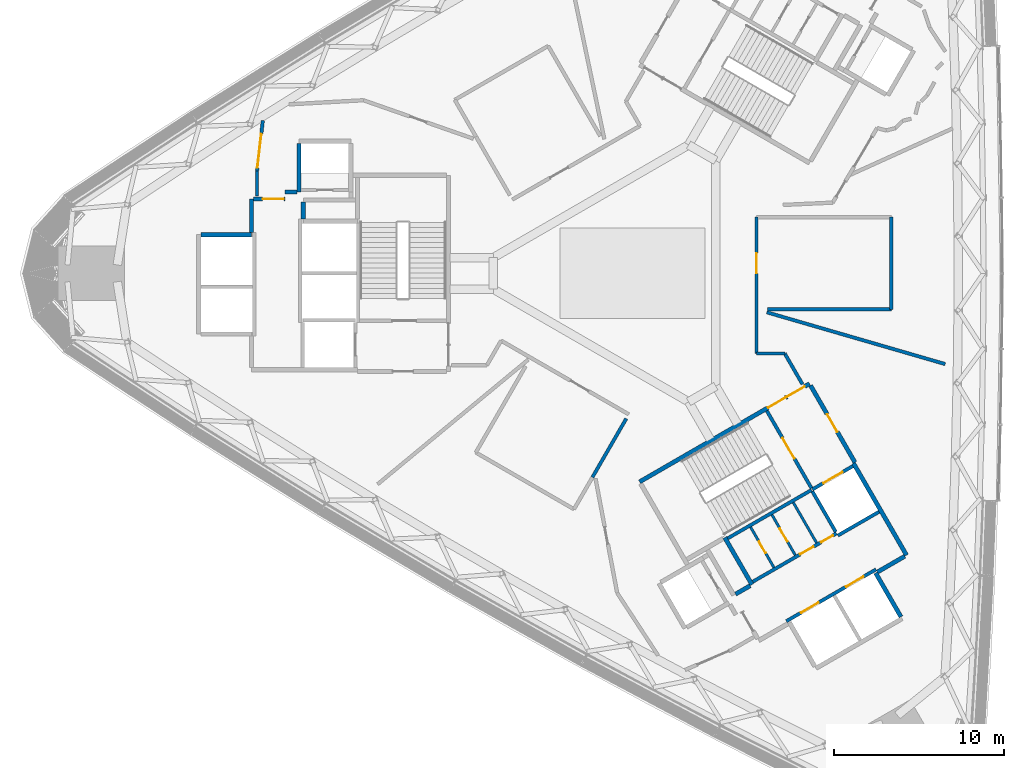
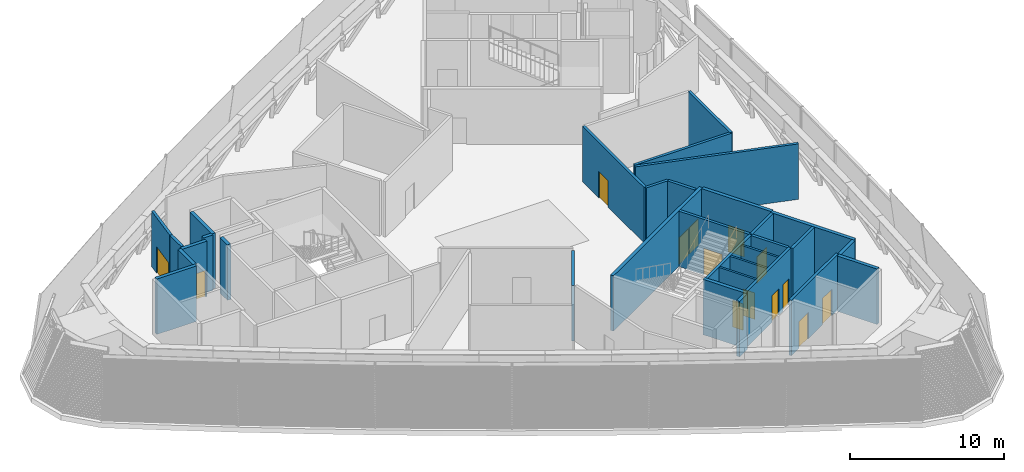
# One storey, part 11 of 17: 32 walls, 14 doors, 14 openings.
"""IFC4 building model written with IfcOpenShell, lengths in metres."""

from ifc_helpers import new_model, si_unit, direction, frame, frame_2d, origin, place, context, subcontext, project, spatial, rectangle, extrude, material, layer, layer_set, type_object, element, fill, save


model = new_model("IFC4")

# Units and contexts
model_context = context("Model", 3, precision=1e-05, world=origin(), true_north=direction((0.0, 1.0)))
body_context = subcontext(model_context, "Body", "Model", "MODEL_VIEW")
ifc_project = project(units=[si_unit("LENGTHUNIT", "METRE"), si_unit("AREAUNIT", "SQUARE_METRE"), si_unit("VOLUMEUNIT", "CUBIC_METRE"), si_unit("PLANEANGLEUNIT", "RADIAN"), si_unit("MASSUNIT", "GRAM", prefix="KILO")], contexts=[model_context])

# Site, building, storey
site_placement = place(None, origin())
site = spatial("IfcSite", under=ifc_project, at=site_placement, CompositionType="ELEMENT")
building_placement = place(site_placement, origin())
building = spatial("IfcBuilding", under=site, at=building_placement, Name="Tamra Quay Hotel Tower", CompositionType="ELEMENT")
storey_placement = place(building_placement, frame((0.0, 0.0, 119.0)))
storey = spatial("IfcBuildingStorey", under=building, at=storey_placement, Name="L29", CompositionType="ELEMENT", Elevation=119.0)

# Wall, openings, doors
ifc_material_1 = material(Name="Concrete M70", Category="concrete")
ifc_layer_1 = layer(ifc_material_1, 0.199951171875)
ifc_layer_set_1 = layer_set([ifc_layer_1], Name="Concrete M70 core wall 200")
wall_type_1 = type_object("IfcWallType", Name="Concrete M70 core wall 200", PredefinedType="SHEAR", material=ifc_layer_set_1)
wall_1_placement = place(storey_placement, frame((9.052490234375, -20.479736328125, 0.0), z_axis=(0.0, 0.0, 1.0), x_axis=(0.866030299012, 0.499991521122, 0.0)))
wall_1 = element("IfcWall", 1, at=wall_1_placement, inside=storey, type_object=wall_type_1, Name="CW2", PredefinedType="SHEAR", context=body_context, shape_type="SweptSolid", body=[
    extrude(rectangle(XDim=6.10009765625, YDim=0.199951171875, at=frame_2d((3.050048828125, 0.0))), origin(), (0.0, 0.0, 1.0), 4.39990234375),
])
opening_1_placement = place(wall_1_placement, frame((1.0, 0.0, 0.0)))
opening_1 = element("IfcOpeningElement", 2, at=opening_1_placement, cuts=wall_1, Name="Opening LD", PredefinedType="OPENING", context=body_context, shape_type="SweptSolid", body=[
    extrude(rectangle(XDim=1.199951171875, YDim=2.10009765625, at=frame_2d((0.60009765625, 1.050048828125))), frame((0.0, 0.10986328125, 0.0), z_axis=(0.0, -1.0, 0.0), x_axis=(1.0, 0.0, 0.0)), (0.0, 0.0, 1.0), 0.219970703125),
])
opening_2_placement = place(wall_1_placement, frame((4.05029296875, 0.0, 0.0)))
opening_2 = element("IfcOpeningElement", 3, at=opening_2_placement, cuts=wall_1, Name="Opening LD", PredefinedType="OPENING", context=body_context, shape_type="SweptSolid", body=[
    extrude(rectangle(XDim=1.199951171875, YDim=2.10009765625, at=frame_2d((0.60009765625, 1.050048828125))), frame((0.0, 0.10986328125, 0.0), z_axis=(0.0, -1.0, 0.0), x_axis=(1.0, 0.0, 0.0)), (0.0, 0.0, 1.0), 0.219970703125),
])
ifc_material_2 = material(Name="Landing door LD 1200 double door sliding")
door_type_1 = type_object("IfcDoorType", Name="Landing door LD 1200 double door sliding", OperationType="DOUBLE_DOOR_SLIDING", PredefinedType="DOOR", material=ifc_material_2)
door_1_placement = place(opening_1_placement, origin())
door_1 = element("IfcDoor", 4, at=door_1_placement, inside=storey, type_object=door_type_1, Name="LD", OperationType="DOUBLE_DOOR_SLIDING", OverallHeight=2.10009765625, OverallWidth=1.199951171875, PredefinedType="DOOR", context=body_context, shape_type="SweptSolid", body=[
    extrude(rectangle(XDim=1.199951171875, YDim=2.10009765625, at=frame_2d((0.60009765625, 1.050048828125))), frame((0.0, 0.02490234375, 0.0), z_axis=(0.0, -1.0, 0.0), x_axis=(1.0, 0.0, 0.0)), (0.0, 0.0, 1.0), 0.050048828125),
])
fill(opening_1, door_1)
door_2_placement = place(opening_2_placement, origin())
door_2 = element("IfcDoor", 5, at=door_2_placement, inside=storey, type_object=door_type_1, Name="LD", OperationType="DOUBLE_DOOR_SLIDING", OverallHeight=2.10009765625, OverallWidth=1.199951171875, PredefinedType="DOOR", context=body_context, shape_type="SweptSolid", body=[
    extrude(rectangle(XDim=1.199951171875, YDim=2.10009765625, at=frame_2d((0.60009765625, 1.050048828125))), frame((0.0, 0.02490234375, 0.0), z_axis=(0.0, -1.0, 0.0), x_axis=(1.0, 0.0, 0.0)), (0.0, 0.0, 1.0), 0.050048828125),
])
fill(opening_2, door_2)

# Wall
wall_2_placement = place(storey_placement, frame((10.537841796875, -12.751953125, 0.0), z_axis=(0.0, 0.0, 1.0), x_axis=(-0.866038630372, -0.499977090179, 0.0)))
element("IfcWall", 6, at=wall_2_placement, inside=storey, type_object=wall_type_1, Name="CW2", PredefinedType="SHEAR", context=body_context, shape_type="SweptSolid", body=[
    extrude(rectangle(XDim=5.698974609375, YDim=0.199951171875, at=frame_2d((2.849609375, 0.0))), origin(), (0.0, 0.0, 1.0), 4.39990234375),
])

# Wall, openings, doors
wall_3_placement = place(storey_placement, frame((7.0771484375, -18.156005859375, 0.0), z_axis=(0.0, 0.0, 1.0), x_axis=(0.866038630372, 0.499977090179, 0.0)))
wall_3 = element("IfcWall", 7, at=wall_3_placement, inside=storey, type_object=wall_type_1, Name="CW2", PredefinedType="SHEAR", context=body_context, shape_type="SweptSolid", body=[
    extrude(rectangle(XDim=5.698974609375, YDim=0.199951171875, at=frame_2d((2.849609375, 0.0))), origin(), (0.0, 0.0, 1.0), 4.39990234375),
])
opening_3_placement = place(wall_3_placement, frame((3.22412109375, 0.0, 0.0)))
opening_3 = element("IfcOpeningElement", 8, at=opening_3_placement, cuts=wall_3, Name="Opening D2", PredefinedType="OPENING", context=body_context, shape_type="SweptSolid", body=[
    extrude(rectangle(XDim=0.89990234375, YDim=2.10009765625, at=frame_2d((0.449951171875, 1.050048828125))), frame((0.0, 0.10986328125, 0.0), z_axis=(0.0, -1.0, 0.0), x_axis=(1.0, 0.0, 0.0)), (0.0, 0.0, 1.0), 0.219970703125),
])
opening_4_placement = place(wall_3_placement, frame((4.64892578125, 0.0, 0.0)))
opening_4 = element("IfcOpeningElement", 9, at=opening_4_placement, cuts=wall_3, Name="Opening D3", PredefinedType="OPENING", context=body_context, shape_type="SweptSolid", body=[
    extrude(rectangle(XDim=0.800048828125, YDim=2.10009765625, at=frame_2d((0.39990234375, 1.050048828125))), frame((0.0, 0.10986328125, 0.0), z_axis=(0.0, -1.0, 0.0), x_axis=(1.0, 0.0, 0.0)), (0.0, 0.0, 1.0), 0.219970703125),
])
ifc_material_3 = material(Name="Core door D2 900x2100 RH")
door_type_2 = type_object("IfcDoorType", Name="Core door D2 900x2100 RH", OperationType="NOTDEFINED", PredefinedType="DOOR", material=ifc_material_3)
door_3_placement = place(opening_3_placement, origin())
door_3 = element("IfcDoor", 10, at=door_3_placement, inside=storey, type_object=door_type_2, Name="D2", OperationType="SINGLE_SWING_RIGHT", OverallHeight=2.10009765625, OverallWidth=0.89990234375, PredefinedType="DOOR", context=body_context, shape_type="SweptSolid", body=[
    extrude(rectangle(XDim=0.89990234375, YDim=2.10009765625, at=frame_2d((0.449951171875, 1.050048828125))), frame((0.0, 0.02490234375, 0.0), z_axis=(0.0, -1.0, 0.0), x_axis=(1.0, 0.0, 0.0)), (0.0, 0.0, 1.0), 0.050048828125),
])
fill(opening_3, door_3)
ifc_material_4 = material(Name="Core door D3 800x2100 LH")
door_type_3 = type_object("IfcDoorType", Name="Core door D3 800x2100 LH", OperationType="NOTDEFINED", PredefinedType="DOOR", material=ifc_material_4)
door_4_placement = place(opening_4_placement, origin())
door_4 = element("IfcDoor", 11, at=door_4_placement, inside=storey, type_object=door_type_3, Name="D3", OperationType="SINGLE_SWING_LEFT", OverallHeight=2.10009765625, OverallWidth=0.800048828125, PredefinedType="DOOR", context=body_context, shape_type="SweptSolid", body=[
    extrude(rectangle(XDim=0.800048828125, YDim=2.10009765625, at=frame_2d((0.39990234375, 1.050048828125))), frame((0.0, 0.02490234375, 0.0), z_axis=(0.0, -1.0, 0.0), x_axis=(1.0, 0.0, 0.0)), (0.0, 0.0, 1.0), 0.050048828125),
])
fill(opening_4, door_4)

# Wall, opening, door
wall_4_placement = place(storey_placement, frame((7.906494140625, -8.094482421875, 0.0), z_axis=(0.0, 0.0, 1.0), x_axis=(0.500024287448, -0.866011380966, 0.0)))
wall_4 = element("IfcWall", 12, at=wall_4_placement, inside=storey, type_object=wall_type_1, Name="CW2", PredefinedType="SHEAR", context=body_context, shape_type="SweptSolid", body=[
    extrude(rectangle(XDim=5.251220703125, YDim=0.199951171875, at=frame_2d((2.62548828125, 0.0))), origin(), (0.0, 0.0, 1.0), 4.39990234375),
])
opening_5_placement = place(wall_4_placement, frame((1.84912109375, 0.0, 0.0)))
opening_5 = element("IfcOpeningElement", 13, at=opening_5_placement, cuts=wall_4, Name="Opening FD2", PredefinedType="OPENING", context=body_context, shape_type="SweptSolid", body=[
    extrude(rectangle(XDim=1.39990234375, YDim=2.10009765625, at=frame_2d((0.699951171875, 1.050048828125))), frame((0.0, 0.10986328125, 0.0), z_axis=(0.0, -1.0, 0.0), x_axis=(1.0, 0.0, 0.0)), (0.0, 0.0, 1.0), 0.219970703125),
])
ifc_material_5 = material(Name="Core door FD2 1400x2100 LH")
door_type_4 = type_object("IfcDoorType", Name="Core door FD2 1400x2100 LH", OperationType="NOTDEFINED", PredefinedType="DOOR", material=ifc_material_5)
door_5_placement = place(opening_5_placement, origin())
door_5 = element("IfcDoor", 14, at=door_5_placement, inside=storey, type_object=door_type_4, Name="FD2", OperationType="SINGLE_SWING_LEFT", OverallHeight=2.10009765625, OverallWidth=1.39990234375, PredefinedType="DOOR", context=body_context, shape_type="SweptSolid", body=[
    extrude(rectangle(XDim=1.39990234375, YDim=2.10009765625, at=frame_2d((0.699951171875, 1.050048828125))), frame((0.0, 0.02490234375, 0.0), z_axis=(0.0, -1.0, 0.0), x_axis=(1.0, 0.0, 0.0)), (0.0, 0.0, 1.0), 0.050048828125),
])
fill(opening_5, door_5)

# Wall
wall_5_placement = place(storey_placement, frame((11.962646484375, -15.219970703125, 0.0), z_axis=(0.0, 0.0, 1.0), x_axis=(-0.500034990121, 0.866005201286, 0.0)))
element("IfcWall", 15, at=wall_5_placement, inside=storey, type_object=wall_type_1, Name="CW2", PredefinedType="SHEAR", context=body_context, shape_type="SweptSolid", body=[
    extrude(rectangle(XDim=2.749755859375, YDim=0.199951171875, at=frame_2d((1.375, 0.0))), origin(), (0.0, 0.0, 1.0), 4.39990234375),
])

# Wall, opening, door
wall_6_placement = place(storey_placement, frame((10.587158203125, -12.72314453125, 0.0), z_axis=(0.0, 0.0, 1.0), x_axis=(0.866037306777, 0.499979382845, 0.0)))
wall_6 = element("IfcWall", 16, at=wall_6_placement, inside=storey, type_object=wall_type_1, Name="CW2", PredefinedType="SHEAR", context=body_context, shape_type="SweptSolid", body=[
    extrude(rectangle(XDim=2.74169921875, YDim=0.199951171875, at=frame_2d((1.370849609375, 0.0))), origin(), (0.0, 0.0, 1.0), 4.39990234375),
])
opening_6_placement = place(wall_6_placement, frame((0.742919921875, 0.0, 0.0)))
opening_6 = element("IfcOpeningElement", 17, at=opening_6_placement, cuts=wall_6, Name="Opening LD", PredefinedType="OPENING", context=body_context, shape_type="SweptSolid", body=[
    extrude(rectangle(XDim=1.300048828125, YDim=2.10009765625, at=frame_2d((0.64990234375, 1.050048828125))), frame((0.0, 0.10986328125, 0.0), z_axis=(0.0, -1.0, 0.0), x_axis=(1.0, 0.0, 0.0)), (0.0, 0.0, 1.0), 0.219970703125),
])
ifc_material_6 = material(Name="Landing door LD 1300 sliding to left")
door_type_5 = type_object("IfcDoorType", Name="Landing door LD 1300 sliding to left", OperationType="NOTDEFINED", PredefinedType="DOOR", material=ifc_material_6)
door_6_placement = place(opening_6_placement, origin())
door_6 = element("IfcDoor", 18, at=door_6_placement, inside=storey, type_object=door_type_5, Name="LD", OperationType="SLIDING_TO_LEFT", OverallHeight=2.10009765625, OverallWidth=1.300048828125, PredefinedType="DOOR", context=body_context, shape_type="SweptSolid", body=[
    extrude(rectangle(XDim=1.300048828125, YDim=2.10009765625, at=frame_2d((0.64990234375, 1.050048828125))), frame((0.0, 0.02490234375, 0.0), z_axis=(0.0, -1.0, 0.0), x_axis=(1.0, 0.0, 0.0)), (0.0, 0.0, 1.0), 0.050048828125),
])
fill(opening_6, door_6)

# Walls
wall_7_placement = place(storey_placement, frame((14.51171875, -14.037109375, 0.0), z_axis=(0.0, 0.0, 1.0), x_axis=(-0.866044696403, -0.499966582715, 0.0)))
element("IfcWall", 19, at=wall_7_placement, inside=storey, type_object=wall_type_1, Name="CW2", PredefinedType="SHEAR", context=body_context, shape_type="SweptSolid", body=[
    extrude(rectangle(XDim=2.799072265625, YDim=0.199951171875, at=frame_2d((1.3994140625, 0.0))), origin(), (0.0, 0.0, 1.0), 4.39990234375),
])
ifc_layer_2 = layer(ifc_material_1, 0.25)
ifc_layer_set_2 = layer_set([ifc_layer_2], Name="Concrete M70 core wall 250")
wall_type_2 = type_object("IfcWallType", Name="Concrete M70 core wall 250", PredefinedType="SHEAR", material=ifc_layer_set_2)
wall_8_placement = place(storey_placement, frame((-25.411865234375, 2.27490234375, 0.0), z_axis=(0.0, 0.0, 1.0), x_axis=(1.0, 0.0, 0.0)))
element("IfcWall", 20, at=wall_8_placement, inside=storey, type_object=wall_type_2, Name="CW1", PredefinedType="SHEAR", context=body_context, shape_type="SweptSolid", body=[
    extrude(rectangle(XDim=2.974609375, YDim=0.25, at=frame_2d((1.4873046875, 0.0))), origin(), (0.0, 0.0, 1.0), 4.39990234375),
])
wall_9_placement = place(storey_placement, frame((-19.63720703125, 4.784912109375, 0.0), z_axis=(0.0, 0.0, 1.0), x_axis=(0.0, 1.0, 0.0)))
element("IfcWall", 21, at=wall_9_placement, inside=storey, type_object=wall_type_2, Name="CW1", PredefinedType="SHEAR", context=body_context, shape_type="SweptSolid", body=[
    extrude(rectangle(XDim=2.86474609375, YDim=0.25, at=frame_2d((1.432373046875, 0.0))), origin(), (0.0, 0.0, 1.0), 4.39990234375),
])
wall_10_placement = place(storey_placement, frame((-22.437255859375, 2.400390625, 0.0), z_axis=(0.0, 0.0, 1.0), x_axis=(0.0, 1.0, 0.0)))
element("IfcWall", 22, at=wall_10_placement, inside=storey, type_object=wall_type_2, Name="CW1", PredefinedType="SHEAR", context=body_context, shape_type="SweptSolid", body=[
    extrude(rectangle(XDim=1.974609375, YDim=0.25, at=frame_2d((0.9873046875, 0.0))), origin(), (0.0, 0.0, 1.0), 4.39990234375),
])

# Wall, opening, door
wall_11_placement = place(storey_placement, frame((-22.311767578125, 4.375, 0.0), z_axis=(0.0, 0.0, 1.0), x_axis=(1.0, 0.0, 0.0)))
wall_11 = element("IfcWall", 23, at=wall_11_placement, inside=storey, type_object=wall_type_2, Name="CW1", PredefinedType="SHEAR", context=body_context, shape_type="SweptSolid", body=[
    extrude(rectangle(XDim=1.864501953125, YDim=0.25, at=frame_2d((0.93212890625, 0.0))), origin(), (0.0, 0.0, 1.0), 4.39990234375),
])
opening_7_placement = place(wall_11_placement, frame((0.53466796875, 0.0, 0.0)))
opening_7 = element("IfcOpeningElement", 24, at=opening_7_placement, cuts=wall_11, Name="Opening FD3", PredefinedType="OPENING", context=body_context, shape_type="SweptSolid", body=[
    extrude(rectangle(XDim=1.25, YDim=2.10009765625, at=frame_2d((0.625, 1.050048828125))), frame((0.0, 0.135009765625, 0.0), z_axis=(0.0, -1.0, 0.0), x_axis=(1.0, 0.0, 0.0)), (0.0, 0.0, 1.0), 0.27001953125),
])
ifc_material_7 = material(Name="Core door FD3 1250x2100 LH")
door_type_6 = type_object("IfcDoorType", Name="Core door FD3 1250x2100 LH", OperationType="NOTDEFINED", PredefinedType="DOOR", material=ifc_material_7)
door_7_placement = place(opening_7_placement, origin())
door_7 = element("IfcDoor", 25, at=door_7_placement, inside=storey, type_object=door_type_6, Name="FD3", OperationType="SINGLE_SWING_LEFT", OverallHeight=2.10009765625, OverallWidth=1.25, PredefinedType="DOOR", context=body_context, shape_type="SweptSolid", body=[
    extrude(rectangle(XDim=1.25, YDim=2.10009765625, at=frame_2d((0.625, 1.050048828125))), frame((0.0, 0.02490234375, 0.0), z_axis=(0.0, -1.0, 0.0), x_axis=(1.0, 0.0, 0.0)), (0.0, 0.0, 1.0), 0.050048828125),
])
fill(opening_7, door_7)

# Walls
wall_12_placement = place(storey_placement, frame((-19.38720703125, 4.189697265625, 0.0), z_axis=(0.0, 0.0, 1.0), x_axis=(0.0, -1.0, 0.0)))
element("IfcWall", 26, at=wall_12_placement, inside=storey, type_object=wall_type_2, Name="CW1", PredefinedType="SHEAR", context=body_context, shape_type="SweptSolid", body=[
    extrude(rectangle(XDim=0.9892578125, YDim=0.25, at=frame_2d((0.49462890625, 0.0))), origin(), (0.0, 0.0, 1.0), 4.39990234375),
])
wall_13_placement = place(storey_placement, frame((-20.447265625, 4.784912109375, 0.0), z_axis=(0.0, 0.0, 1.0), x_axis=(1.0, 0.0, 0.0)))
element("IfcWall", 27, at=wall_13_placement, inside=storey, type_object=wall_type_2, Name="CW1", PredefinedType="SHEAR", context=body_context, shape_type="SweptSolid", body=[
    extrude(rectangle(XDim=0.6845703125, YDim=0.25, at=frame_2d((0.34228515625, 0.0))), origin(), (0.0, 0.0, 1.0), 4.39990234375),
])

# Wall, openings, doors
wall_14_placement = place(storey_placement, frame((0.417236328125, -12.27294921875, 0.0), z_axis=(0.0, 0.0, 1.0), x_axis=(0.866021906294, 0.500006057782, 0.0)))
wall_14 = element("IfcWall", 28, at=wall_14_placement, inside=storey, type_object=wall_type_2, Name="CW1", PredefinedType="SHEAR", context=body_context, shape_type="SweptSolid", body=[
    extrude(rectangle(XDim=11.550048828125, YDim=0.25, at=frame_2d((5.77490234375, 0.0))), origin(), (0.0, 0.0, 1.0), 4.39990234375),
])
opening_8_placement = place(wall_14_placement, frame((10.024658203125, 0.0, 0.0)))
opening_8 = element("IfcOpeningElement", 29, at=opening_8_placement, cuts=wall_14, Name="Opening FD1", PredefinedType="OPENING", context=body_context, shape_type="SweptSolid", body=[
    extrude(rectangle(XDim=1.199951171875, YDim=2.10009765625, at=frame_2d((0.60009765625, 1.050048828125))), frame((0.0, 0.135009765625, 0.0), z_axis=(0.0, -1.0, 0.0), x_axis=(1.0, 0.0, 0.0)), (0.0, 0.0, 1.0), 0.27001953125),
])
opening_9_placement = place(wall_14_placement, frame((8.724609375, 0.0, 0.0)))
opening_9 = element("IfcOpeningElement", 30, at=opening_9_placement, cuts=wall_14, Name="Opening FD1", PredefinedType="OPENING", context=body_context, shape_type="SweptSolid", body=[
    extrude(rectangle(XDim=1.199951171875, YDim=2.10009765625, at=frame_2d((0.60009765625, 1.050048828125))), frame((0.0, 0.135009765625, 0.0), z_axis=(0.0, -1.0, 0.0), x_axis=(1.0, 0.0, 0.0)), (0.0, 0.0, 1.0), 0.27001953125),
])
ifc_material_8 = material(Name="Core door FD1 1200x2100 LH")
door_type_7 = type_object("IfcDoorType", Name="Core door FD1 1200x2100 LH", OperationType="NOTDEFINED", PredefinedType="DOOR", material=ifc_material_8)
door_8_placement = place(opening_8_placement, origin())
door_8 = element("IfcDoor", 31, at=door_8_placement, inside=storey, type_object=door_type_7, Name="FD1", OperationType="SINGLE_SWING_LEFT", OverallHeight=2.10009765625, OverallWidth=1.199951171875, PredefinedType="DOOR", context=body_context, shape_type="SweptSolid", body=[
    extrude(rectangle(XDim=1.199951171875, YDim=2.10009765625, at=frame_2d((0.60009765625, 1.050048828125))), frame((0.0, 0.02490234375, 0.0), z_axis=(0.0, -1.0, 0.0), x_axis=(1.0, 0.0, 0.0)), (0.0, 0.0, 1.0), 0.050048828125),
])
fill(opening_8, door_8)
ifc_material_9 = material(Name="Core door FD1 1200x2100 RH")
door_type_8 = type_object("IfcDoorType", Name="Core door FD1 1200x2100 RH", OperationType="NOTDEFINED", PredefinedType="DOOR", material=ifc_material_9)
door_9_placement = place(opening_9_placement, origin())
door_9 = element("IfcDoor", 32, at=door_9_placement, inside=storey, type_object=door_type_8, Name="FD1", OperationType="SINGLE_SWING_RIGHT", OverallHeight=2.10009765625, OverallWidth=1.199951171875, PredefinedType="DOOR", context=body_context, shape_type="SweptSolid", body=[
    extrude(rectangle(XDim=1.199951171875, YDim=2.10009765625, at=frame_2d((0.60009765625, 1.050048828125))), frame((0.0, 0.02490234375, 0.0), z_axis=(0.0, -1.0, 0.0), x_axis=(1.0, 0.0, 0.0)), (0.0, 0.0, 1.0), 0.050048828125),
])
fill(opening_9, door_9)

# Wall
wall_15_placement = place(storey_placement, frame((13.00830078125, -11.18115234375, 0.0), z_axis=(0.0, 0.0, 1.0), x_axis=(0.500004234368, -0.866022959057, 0.0)))
element("IfcWall", 33, at=wall_15_placement, inside=storey, type_object=wall_type_2, Name="CW1", PredefinedType="SHEAR", context=body_context, shape_type="SweptSolid", body=[
    extrude(rectangle(XDim=6.25, YDim=0.25, at=frame_2d((3.125, 0.0))), origin(), (0.0, 0.0, 1.0), 4.39990234375),
])

# Wall, opening, door
wall_16_placement = place(storey_placement, frame((10.482666015625, -6.6064453125, 0.0), z_axis=(0.0, 0.0, 1.0), x_axis=(0.49999885962, -0.866026062182, 0.0)))
wall_16 = element("IfcWall", 34, at=wall_16_placement, inside=storey, type_object=wall_type_2, Name="CW1", PredefinedType="SHEAR", context=body_context, shape_type="SweptSolid", body=[
    extrude(rectangle(XDim=5.224609375, YDim=0.25, at=frame_2d((2.6123046875, 0.0))), origin(), (0.0, 0.0, 1.0), 4.39990234375),
])
opening_10_placement = place(wall_16_placement, frame((1.94970703125, 0.0, 0.0)))
opening_10 = element("IfcOpeningElement", 35, at=opening_10_placement, cuts=wall_16, Name="Opening D2", PredefinedType="OPENING", context=body_context, shape_type="SweptSolid", body=[
    extrude(rectangle(XDim=1.199951171875, YDim=2.10009765625, at=frame_2d((0.60009765625, 1.050048828125))), frame((0.0, 0.135009765625, 0.0), z_axis=(0.0, -1.0, 0.0), x_axis=(1.0, 0.0, 0.0)), (0.0, 0.0, 1.0), 0.27001953125),
])
ifc_material_10 = material(Name="Core door D2 1200x2100 RH")
door_type_9 = type_object("IfcDoorType", Name="Core door D2 1200x2100 RH", OperationType="NOTDEFINED", PredefinedType="DOOR", material=ifc_material_10)
door_10_placement = place(opening_10_placement, origin())
door_10 = element("IfcDoor", 36, at=door_10_placement, inside=storey, type_object=door_type_9, Name="D2", OperationType="SINGLE_SWING_RIGHT", OverallHeight=2.10009765625, OverallWidth=1.199951171875, PredefinedType="DOOR", context=body_context, shape_type="SweptSolid", body=[
    extrude(rectangle(XDim=1.199951171875, YDim=2.10009765625, at=frame_2d((0.60009765625, 1.050048828125))), frame((0.0, 0.02490234375, 0.0), z_axis=(0.0, -1.0, 0.0), x_axis=(1.0, 0.0, 0.0)), (0.0, 0.0, 1.0), 0.050048828125),
])
fill(opening_10, door_10)

# Walls
wall_17_placement = place(storey_placement, frame((7.030517578125, -18.327392578125, 0.0), z_axis=(0.0, 0.0, 1.0), x_axis=(-0.499971222258, 0.866042017984, 0.0)))
element("IfcWall", 37, at=wall_17_placement, inside=storey, type_object=wall_type_2, Name="CW1", PredefinedType="SHEAR", context=body_context, shape_type="SweptSolid", body=[
    extrude(rectangle(XDim=3.199951171875, YDim=0.25, at=frame_2d((1.60009765625, 0.0))), origin(), (0.0, 0.0, 1.0), 4.39990234375),
])
wall_18_placement = place(storey_placement, frame((14.314697265625, -17.643798828125, 0.0), z_axis=(0.0, 0.0, 1.0), x_axis=(0.500023226632, -0.866011993467, 0.0)))
element("IfcWall", 38, at=wall_18_placement, inside=storey, type_object=wall_type_2, Name="CW1", PredefinedType="SHEAR", context=body_context, shape_type="SweptSolid", body=[
    extrude(rectangle(XDim=2.974365234375, YDim=0.25, at=frame_2d((1.4873046875, 0.0))), origin(), (0.0, 0.0, 1.0), 4.39990234375),
])
wall_19_placement = place(storey_placement, frame((16.024658203125, -16.656494140625, 0.0), z_axis=(0.0, 0.0, 1.0), x_axis=(-0.866016279763, -0.500015802937, 0.0)))
element("IfcWall", 39, at=wall_19_placement, inside=storey, type_object=wall_type_2, Name="CW1", PredefinedType="SHEAR", context=body_context, shape_type="SweptSolid", body=[
    extrude(rectangle(XDim=1.84912109375, YDim=0.25, at=frame_2d((0.924560546875, 0.0))), origin(), (0.0, 0.0, 1.0), 4.39990234375),
])
wall_20_placement = place(storey_placement, frame((6.0654296875, -18.884765625, 0.0), z_axis=(0.0, 0.0, 1.0), x_axis=(0.866017078145, 0.500014420154, 0.0)))
element("IfcWall", 40, at=wall_20_placement, inside=storey, type_object=wall_type_2, Name="CW1", PredefinedType="SHEAR", context=body_context, shape_type="SweptSolid", body=[
    extrude(rectangle(XDim=0.9892578125, YDim=0.25, at=frame_2d((0.49462890625, 0.0))), origin(), (0.0, 0.0, 1.0), 4.39990234375),
])

# Wall, opening, door
ifc_material_11 = material(Name="Blockwork", Category="masonry")
ifc_layer_3 = layer(ifc_material_11, 0.14990234375)
ifc_layer_set_3 = layer_set([ifc_layer_3], Name="Core partition block 150")
wall_type_3 = type_object("IfcWallType", Name="Core partition block 150", PredefinedType="PARTITIONING", material=ifc_layer_set_3)
wall_21_placement = place(storey_placement, frame((8.20654296875, -14.214111328125, 0.0), z_axis=(0.0, 0.0, 1.0), x_axis=(0.50002746344, -0.86600954718, 0.0)))
wall_21 = element("IfcWall", 41, at=wall_21_placement, inside=storey, type_object=wall_type_3, Name="CP1", PredefinedType="PARTITIONING", context=body_context, shape_type="SweptSolid", body=[
    extrude(rectangle(XDim=2.748291015625, YDim=0.14990234375, at=frame_2d((1.3740234375, 0.0))), origin(), (0.0, 0.0, 1.0), 4.39990234375),
])
opening_11_placement = place(wall_21_placement, frame((0.92431640625, 0.0, 0.0)))
opening_11 = element("IfcOpeningElement", 42, at=opening_11_placement, cuts=wall_21, Name="Opening D2", PredefinedType="OPENING", context=body_context, shape_type="SweptSolid", body=[
    extrude(rectangle(XDim=0.89990234375, YDim=2.10009765625, at=frame_2d((0.449951171875, 1.050048828125))), frame((0.0, 0.0849609375, 0.0), z_axis=(0.0, -1.0, 0.0), x_axis=(1.0, 0.0, 0.0)), (0.0, 0.0, 1.0), 0.169921875),
])
ifc_material_12 = material(Name="Core door D2 900x2100 LH")
door_type_10 = type_object("IfcDoorType", Name="Core door D2 900x2100 LH", OperationType="NOTDEFINED", PredefinedType="DOOR", material=ifc_material_12)
door_11_placement = place(opening_11_placement, origin())
door_11 = element("IfcDoor", 43, at=door_11_placement, inside=storey, type_object=door_type_10, Name="D2", OperationType="SINGLE_SWING_LEFT", OverallHeight=2.10009765625, OverallWidth=0.89990234375, PredefinedType="DOOR", context=body_context, shape_type="SweptSolid", body=[
    extrude(rectangle(XDim=0.89990234375, YDim=2.10009765625, at=frame_2d((0.449951171875, 1.050048828125))), frame((0.0, 0.02490234375, 0.0), z_axis=(0.0, -1.0, 0.0), x_axis=(1.0, 0.0, 0.0)), (0.0, 0.0, 1.0), 0.050048828125),
])
fill(opening_11, door_11)

# Wall
wall_22_placement = place(storey_placement, frame((9.46240234375, -13.489013671875, 0.0), z_axis=(0.0, 0.0, 1.0), x_axis=(0.499988999718, -0.866031754707, 0.0)))
element("IfcWall", 44, at=wall_22_placement, inside=storey, type_object=wall_type_3, Name="CP1", PredefinedType="PARTITIONING", context=body_context, shape_type="SweptSolid", body=[
    extrude(rectangle(XDim=2.74853515625, YDim=0.14990234375, at=frame_2d((1.374267578125, 0.0))), origin(), (0.0, 0.0, 1.0), 4.39990234375),
])

# Wall, opening, door
wall_23_placement = place(storey_placement, frame((6.950927734375, -14.93896484375, 0.0), z_axis=(0.0, 0.0, 1.0), x_axis=(0.499988999718, -0.866031754707, 0.0)))
wall_23 = element("IfcWall", 45, at=wall_23_placement, inside=storey, type_object=wall_type_3, Name="CP1", PredefinedType="PARTITIONING", context=body_context, shape_type="SweptSolid", body=[
    extrude(rectangle(XDim=2.74853515625, YDim=0.14990234375, at=frame_2d((1.374267578125, 0.0))), origin(), (0.0, 0.0, 1.0), 4.39990234375),
])
opening_12_placement = place(wall_23_placement, frame((0.97412109375, 0.0, 0.0)))
opening_12 = element("IfcOpeningElement", 46, at=opening_12_placement, cuts=wall_23, Name="Opening D3", PredefinedType="OPENING", context=body_context, shape_type="SweptSolid", body=[
    extrude(rectangle(XDim=0.800048828125, YDim=2.10009765625, at=frame_2d((0.39990234375, 1.050048828125))), frame((0.0, 0.0849609375, 0.0), z_axis=(0.0, -1.0, 0.0), x_axis=(1.0, 0.0, 0.0)), (0.0, 0.0, 1.0), 0.169921875),
])
ifc_material_13 = material(Name="Core door D3 800x2100 RH")
door_type_11 = type_object("IfcDoorType", Name="Core door D3 800x2100 RH", OperationType="NOTDEFINED", PredefinedType="DOOR", material=ifc_material_13)
door_12_placement = place(opening_12_placement, origin())
door_12 = element("IfcDoor", 47, at=door_12_placement, inside=storey, type_object=door_type_11, Name="D3", OperationType="SINGLE_SWING_RIGHT", OverallHeight=2.10009765625, OverallWidth=0.800048828125, PredefinedType="DOOR", context=body_context, shape_type="SweptSolid", body=[
    extrude(rectangle(XDim=0.800048828125, YDim=2.10009765625, at=frame_2d((0.39990234375, 1.050048828125))), frame((0.0, 0.02490234375, 0.0), z_axis=(0.0, -1.0, 0.0), x_axis=(1.0, 0.0, 0.0)), (0.0, 0.0, 1.0), 0.050048828125),
])
fill(opening_12, door_12)

# Wall
ifc_material_14 = material(Name="Partition corridor wall")
ifc_layer_4 = layer(ifc_material_14, 0.199951171875)
ifc_layer_set_4 = layer_set([ifc_layer_4], Name="Partition corridor wall")
wall_type_4 = type_object("IfcWallType", Name="Partition corridor wall", PredefinedType="PARTITIONING", material=ifc_layer_set_4)
wall_24_placement = place(storey_placement, frame((-22.112060546875, 4.56005859375, 0.0), z_axis=(0.0, 0.0, 1.0), x_axis=(0.0, 1.0, 0.0)))
element("IfcWall", 48, at=wall_24_placement, inside=storey, type_object=wall_type_4, Name="W-C", PredefinedType="PARTITIONING", context=body_context, shape_type="SweptSolid", body=[
    extrude(rectangle(XDim=1.458984375, YDim=0.199951171875, at=frame_2d((0.7294921875, 0.0))), origin(), (0.0, 0.0, 1.0), 4.39990234375),
])

# Wall, opening, door
wall_25_placement = place(storey_placement, frame((-22.112060546875, 6.01904296875, 0.0), z_axis=(0.0, 0.0, 1.0), x_axis=(0.115302383133, 0.993330438698, 0.0)))
wall_25 = element("IfcWall", 49, at=wall_25_placement, inside=storey, type_object=wall_type_4, Name="W-C", PredefinedType="PARTITIONING", context=body_context, shape_type="SweptSolid", body=[
    extrude(rectangle(XDim=2.991943359375, YDim=0.199951171875, at=frame_2d((1.49609375, 0.0))), origin(), (0.0, 0.0, 1.0), 4.39990234375),
])
opening_13_placement = place(wall_25_placement, frame((0.20068359375, 0.0, 0.0)))
opening_13 = element("IfcOpeningElement", 50, at=opening_13_placement, cuts=wall_25, Name="Opening L29-D003", PredefinedType="OPENING", context=body_context, shape_type="SweptSolid", body=[
    extrude(rectangle(XDim=2.0, YDim=2.10009765625, at=frame_2d((1.0, 1.050048828125))), frame((0.0, 0.10986328125, 0.0), z_axis=(0.0, -1.0, 0.0), x_axis=(1.0, 0.0, 0.0)), (0.0, 0.0, 1.0), 0.219970703125),
])
ifc_material_15 = material(Name="Door double leaf 2000x2100")
door_type_12 = type_object("IfcDoorType", Name="Door double leaf 2000x2100", OperationType="DOUBLE_DOOR_SINGLE_SWING", PredefinedType="DOOR", material=ifc_material_15)
door_13_placement = place(opening_13_placement, origin())
door_13 = element("IfcDoor", 51, at=door_13_placement, inside=storey, type_object=door_type_12, Name="L29-D003", OperationType="DOUBLE_DOOR_SINGLE_SWING", OverallHeight=2.10009765625, OverallWidth=2.0, PredefinedType="DOOR", context=body_context, shape_type="SweptSolid", body=[
    extrude(rectangle(XDim=2.0, YDim=2.10009765625, at=frame_2d((1.0, 1.050048828125))), frame((0.0, 0.02490234375, 0.0), z_axis=(0.0, -1.0, 0.0), x_axis=(1.0, 0.0, 0.0)), (0.0, 0.0, 1.0), 0.050048828125),
])
fill(opening_13, door_13)

# Wall
wall_26_placement = place(storey_placement, frame((-2.364990234375, -12.007080078125, 0.0), z_axis=(0.0, 0.0, 1.0), x_axis=(0.500033033937, 0.866006330792, 0.0)))
element("IfcWall", 52, at=wall_26_placement, inside=storey, type_object=wall_type_4, Name="W-C", PredefinedType="PARTITIONING", context=body_context, shape_type="SweptSolid", body=[
    extrude(rectangle(XDim=3.991943359375, YDim=0.199951171875, at=frame_2d((1.99609375, 0.0))), origin(), (0.0, 0.0, 1.0), 4.39990234375),
])

# Wall, opening, door
wall_27_placement = place(storey_placement, frame((7.300048828125, -4.720947265625, 0.0), z_axis=(0.0, 0.0, 1.0), x_axis=(0.0, 1.0, 0.0)))
wall_27 = element("IfcWall", 53, at=wall_27_placement, inside=storey, type_object=wall_type_4, Name="W-C", PredefinedType="PARTITIONING", context=body_context, shape_type="SweptSolid", body=[
    extrude(rectangle(XDim=8.037841796875, YDim=0.199951171875, at=frame_2d((4.01904296875, 0.0))), origin(), (0.0, 0.0, 1.0), 4.39990234375),
])
opening_14_placement = place(wall_27_placement, frame((4.714599609375, 0.0, 0.0)))
opening_14 = element("IfcOpeningElement", 54, at=opening_14_placement, cuts=wall_27, Name="Opening L29-D008", PredefinedType="OPENING", context=body_context, shape_type="SweptSolid", body=[
    extrude(rectangle(XDim=1.199951171875, YDim=2.10009765625, at=frame_2d((0.60009765625, 1.050048828125))), frame((0.0, 0.10986328125, 0.0), z_axis=(0.0, -1.0, 0.0), x_axis=(1.0, 0.0, 0.0)), (0.0, 0.0, 1.0), 0.219970703125),
])
ifc_material_16 = material(Name="Door fire rated 1200x2100")
door_type_13 = type_object("IfcDoorType", Name="Door fire rated 1200x2100", OperationType="NOTDEFINED", PredefinedType="DOOR", material=ifc_material_16)
door_14_placement = place(opening_14_placement, frame((1.199951171875, 0.0, 0.0), z_axis=(0.0, 0.0, 1.0), x_axis=(-1.0, 0.0, 0.0)))
door_14 = element("IfcDoor", 55, at=door_14_placement, inside=storey, type_object=door_type_13, Name="L29-D008", OperationType="SINGLE_SWING_LEFT", OverallHeight=2.10009765625, OverallWidth=1.199951171875, PredefinedType="DOOR", context=body_context, shape_type="SweptSolid", body=[
    extrude(rectangle(XDim=1.199951171875, YDim=2.10009765625, at=frame_2d((0.60009765625, 1.050048828125))), frame((0.0, 0.02490234375, 0.0), z_axis=(0.0, -1.0, 0.0), x_axis=(1.0, 0.0, 0.0)), (0.0, 0.0, 1.0), 0.050048828125),
])
fill(opening_14, door_14)

# Walls
wall_28_placement = place(storey_placement, frame((7.300048828125, -4.720947265625, 0.0), z_axis=(0.0, 0.0, 1.0), x_axis=(1.0, 0.0, 0.0)))
element("IfcWall", 56, at=wall_28_placement, inside=storey, type_object=wall_type_4, Name="W-C", PredefinedType="PARTITIONING", context=body_context, shape_type="SweptSolid", body=[
    extrude(rectangle(XDim=1.660888671875, YDim=0.199951171875, at=frame_2d((0.83056640625, 0.0))), origin(), (0.0, 0.0, 1.0), 4.39990234375),
])
wall_29_placement = place(storey_placement, frame((8.9609375, -4.720947265625, 0.0), z_axis=(0.0, 0.0, 1.0), x_axis=(0.499806992981, -0.866136807766, 0.0)))
element("IfcWall", 57, at=wall_29_placement, inside=storey, type_object=wall_type_4, Name="W-C", PredefinedType="PARTITIONING", context=body_context, shape_type="SweptSolid", body=[
    extrude(rectangle(XDim=2.083251953125, YDim=0.199951171875, at=frame_2d((1.04150390625, 0.0))), origin(), (0.0, 0.0, 1.0), 4.39990234375),
])
ifc_material_17 = material(Name="Partition party wall")
ifc_layer_5 = layer(ifc_material_17, 0.199951171875)
ifc_layer_set_5 = layer_set([ifc_layer_5], Name="Partition party wall")
wall_type_5 = type_object("IfcWallType", Name="Partition party wall", PredefinedType="PARTITIONING", material=ifc_layer_set_5)
wall_30_placement = place(storey_placement, frame((7.905029296875, -2.2939453125, 0.0), z_axis=(0.0, 0.0, 1.0), x_axis=(0.960385543151, -0.27867473604, 0.0)))
element("IfcWall", 58, at=wall_30_placement, inside=storey, type_object=wall_type_5, Name="W-P", PredefinedType="PARTITIONING", context=body_context, shape_type="SweptSolid", body=[
    extrude(rectangle(XDim=10.938720703125, YDim=0.199951171875, at=frame_2d((5.46923828125, 0.0))), origin(), (0.0, 0.0, 1.0), 4.39990234375),
])
wall_31_placement = place(storey_placement, frame((7.94189453125, -2.12109375, 0.0), z_axis=(0.0, 0.0, 1.0), x_axis=(0.999999954577, 0.00030140655, 0.0)))
element("IfcWall", 59, at=wall_31_placement, inside=storey, type_object=wall_type_5, Name="W-P", PredefinedType="PARTITIONING", context=body_context, shape_type="SweptSolid", body=[
    extrude(rectangle(XDim=7.2900390625, YDim=0.199951171875, at=frame_2d((3.64501953125, 0.0))), origin(), (0.0, 0.0, 1.0), 4.39990234375),
])
wall_32_placement = place(storey_placement, frame((15.23193359375, -2.118896484375, 0.0), z_axis=(0.0, 0.0, 1.0), x_axis=(0.0, 1.0, 0.0)))
element("IfcWall", 60, at=wall_32_placement, inside=storey, type_object=wall_type_5, Name="W-P", PredefinedType="PARTITIONING", context=body_context, shape_type="SweptSolid", body=[
    extrude(rectangle(XDim=5.42578125, YDim=0.199951171875, at=frame_2d((2.712890625, 0.0))), origin(), (0.0, 0.0, 1.0), 4.39990234375),
])

save(model, "model.ifc")
